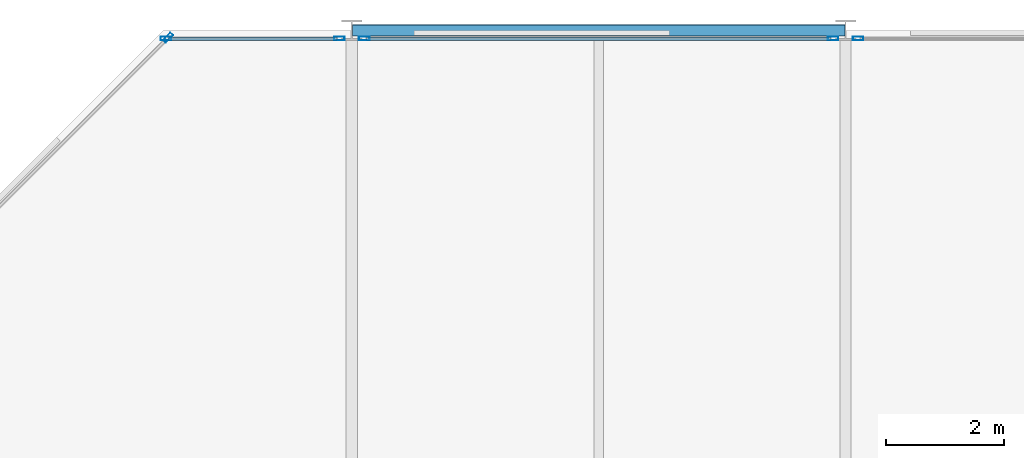
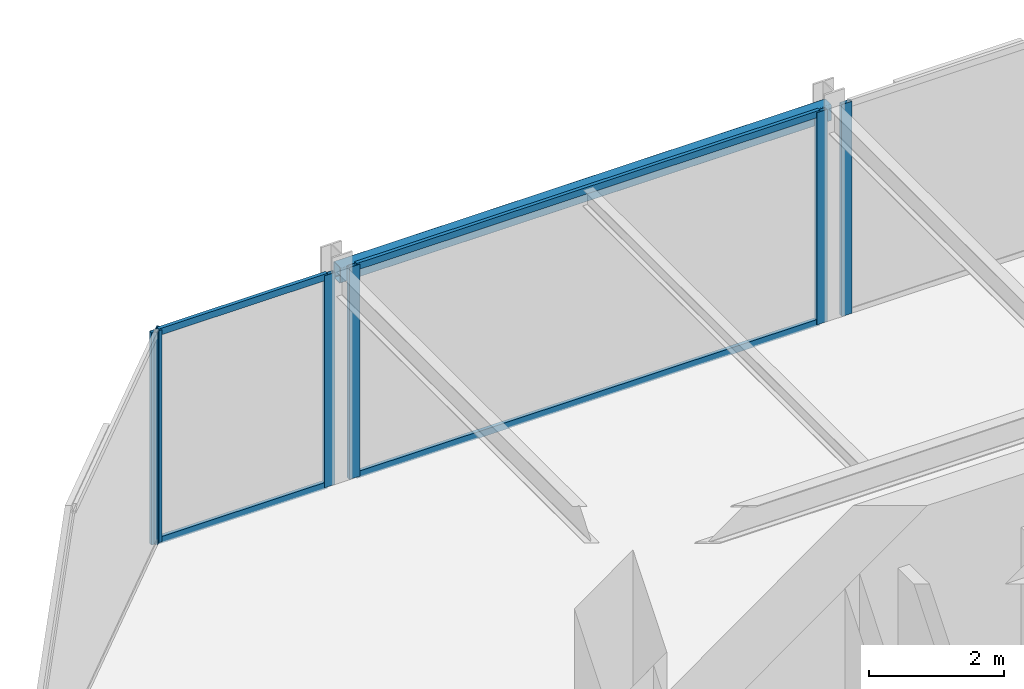
# One storey, part 20 of 29: 10 members, 1 beam, 4 elements without a shape of their own.
"""IFC4 building model written with IfcOpenShell, lengths in metres."""

from ifc_helpers import new_model, si_unit, direction, frame, origin, origin_2d, place, context, subcontext, project, spatial, hollow_rectangle, extrude, material, layer, layer_set, material_profile, profile_set, type_object, element, aggregate, save


model = new_model("IFC4")

# Units and contexts
model_context = context("Model", 3, precision=1e-05, world=origin(), true_north=direction((0.0, 1.0)))
body_context = subcontext(model_context, "Body", "Model", "MODEL_VIEW")
ifc_project = project(units=[si_unit("LENGTHUNIT", "METRE"), si_unit("AREAUNIT", "SQUARE_METRE"), si_unit("VOLUMEUNIT", "CUBIC_METRE"), si_unit("PLANEANGLEUNIT", "RADIAN"), si_unit("MASSUNIT", "GRAM", prefix="KILO")], contexts=[model_context])

# Site, building, storey
site_placement = place(None, origin())
site = spatial("IfcSite", under=ifc_project, at=site_placement, CompositionType="ELEMENT")
building_placement = place(site_placement, origin())
building = spatial("IfcBuilding", under=site, at=building_placement, Name="Nerrivon Quay Data Exchange", CompositionType="ELEMENT")
storey_placement = place(building_placement, frame((0.0, 0.0, 187.800048828125)))
storey = spatial("IfcBuildingStorey", under=building, at=storey_placement, Name="L44", CompositionType="ELEMENT", Elevation=187.800048828125)

# Beam
ifc_material_1 = material(Name="Steel Grade C350L0 (350 MPa)", Category="steel")
ifc_material_profile_1 = material_profile(ifc_material_1, hollow_rectangle(XDim=0.199951171875, YDim=0.300048828125, WallThickness=0.012451171875, InnerFilletRadius=0.018798828125, OuterFilletRadius=0.03125, at=origin_2d()), Name="300x200x12.5RHS")
ifc_profile_set_1 = profile_set([ifc_material_profile_1], Name="Steel Grade C350L0 (350 MPa)")
beam_type = type_object("IfcBeamType", Name="BM-SP3-300x200RHS", PredefinedType="SPANDREL", material=ifc_profile_set_1)
beam_placement = place(storey_placement, frame((8.409912109375, 50.39990234375, 3.675048828125), z_axis=(1.0, 0.0, 0.0), x_axis=(0.0, 1.0, 0.0)))
element("IfcBeam", 1, at=beam_placement, inside=storey, type_object=beam_type, Name="L44 EW Girder Y=50.4 (8.4..16.8)", PredefinedType="SPANDREL", context=body_context, shape_type="SweptSolid", body=[
    extrude(hollow_rectangle(XDim=0.199951171875, YDim=0.300048828125, WallThickness=0.012451171875, InnerFilletRadius=0.018798828125, OuterFilletRadius=0.03125, at=origin_2d()), origin(), (0.0, 0.0, 1.0), 8.380126953125),
])

# Curtain wall, member
ifc_material_2 = material(Name="Anodised aluminium 6063-T6", Category="aluminium")
ifc_layer = layer(ifc_material_2, 0.195068359375)
ifc_layer_set = layer_set([ifc_layer], Name="Anodised aluminium 6063-T6")
curtain_wall_type = type_object("IfcCurtainWallType", Name="CW-SYS-06", PredefinedType="NOTDEFINED", material=ifc_layer_set)
curtain_wall_1_placement = place(storey_placement, origin())
curtain_wall_1 = element("IfcCurtainWall", 2, at=curtain_wall_1_placement, inside=storey, type_object=curtain_wall_type, Name="L44 Unitised Curtain Wall 7", PredefinedType="NOTDEFINED")
ifc_material_profile_2 = material_profile(ifc_material_2, hollow_rectangle(XDim=0.06494140625, YDim=0.179931640625, WallThickness=0.00341796875, at=origin_2d()), Name="ALU-MULL-180x65")
ifc_profile_set_2 = profile_set([ifc_material_profile_2], Name="Anodised aluminium 6063-T6")
member_type_1 = type_object("IfcMemberType", Name="CWM-180x65", PredefinedType="MULLION", material=ifc_profile_set_2)
member_1_placement = place(storey_placement, frame((5.2724609375, 50.2744140625, 0.0), z_axis=(0.0, 0.0, 1.0), x_axis=(-0.707106781187, 0.707106781187, 0.0)))
member_1 = element("IfcMember", 3, at=member_1_placement, type_object=member_type_1, Name="CW06 mullion 2", PredefinedType="MULLION", context=body_context, shape_type="SweptSolid", body=[
    extrude(hollow_rectangle(XDim=0.06494140625, YDim=0.179931640625, WallThickness=0.00341796875, at=origin_2d()), origin(), (0.0, 0.0, 1.0), 3.824951171875),
])
aggregate(curtain_wall_1, [member_1])

# Curtain wall, members
curtain_wall_2_placement = place(storey_placement, origin())
curtain_wall_2 = element("IfcCurtainWall", 4, at=curtain_wall_2_placement, inside=storey, type_object=curtain_wall_type, Name="L44 Unitised Curtain Wall 8", PredefinedType="NOTDEFINED")
member_2_placement = place(storey_placement, frame((5.237548828125, 50.260009765625, 0.0), z_axis=(0.0, 0.0, 1.0), x_axis=(0.0, 1.0, 0.0)))
member_2 = element("IfcMember", 5, at=member_2_placement, type_object=member_type_1, Name="CW06 mullion 1", PredefinedType="MULLION", context=body_context, shape_type="SweptSolid", body=[
    extrude(hollow_rectangle(XDim=0.06494140625, YDim=0.179931640625, WallThickness=0.00341796875, at=origin_2d()), origin(), (0.0, 0.0, 1.0), 3.824951171875),
])
member_3_placement = place(storey_placement, frame((8.1875, 50.260009765625, 0.0), z_axis=(0.0, 0.0, 1.0), x_axis=(0.0, 1.0, 0.0)))
member_3 = element("IfcMember", 6, at=member_3_placement, type_object=member_type_1, Name="CW06 mullion 2", PredefinedType="MULLION", context=body_context, shape_type="SweptSolid", body=[
    extrude(hollow_rectangle(XDim=0.06494140625, YDim=0.179931640625, WallThickness=0.00341796875, at=origin_2d()), origin(), (0.0, 0.0, 1.0), 3.824951171875),
])

curtain_wall_3_placement = place(storey_placement, origin())
curtain_wall_3 = element("IfcCurtainWall", 7, at=curtain_wall_3_placement, inside=storey, type_object=curtain_wall_type, Name="L44 Unitised Curtain Wall 9", PredefinedType="NOTDEFINED")
member_4_placement = place(storey_placement, frame((8.612548828125, 50.260009765625, 0.0), z_axis=(0.0, 0.0, 1.0), x_axis=(0.0, 1.0, 0.0)))
member_4 = element("IfcMember", 8, at=member_4_placement, type_object=member_type_1, Name="CW06 mullion 1", PredefinedType="MULLION", context=body_context, shape_type="SweptSolid", body=[
    extrude(hollow_rectangle(XDim=0.06494140625, YDim=0.179931640625, WallThickness=0.00341796875, at=origin_2d()), origin(), (0.0, 0.0, 1.0), 3.824951171875),
])
member_5_placement = place(storey_placement, frame((16.58740234375, 50.260009765625, 0.0), z_axis=(0.0, 0.0, 1.0), x_axis=(0.0, 1.0, 0.0)))
member_5 = element("IfcMember", 9, at=member_5_placement, type_object=member_type_1, Name="CW06 mullion 2", PredefinedType="MULLION", context=body_context, shape_type="SweptSolid", body=[
    extrude(hollow_rectangle(XDim=0.06494140625, YDim=0.179931640625, WallThickness=0.00341796875, at=origin_2d()), origin(), (0.0, 0.0, 1.0), 3.824951171875),
])

# Curtain wall, member
curtain_wall_4_placement = place(storey_placement, origin())
curtain_wall_4 = element("IfcCurtainWall", 10, at=curtain_wall_4_placement, inside=storey, type_object=curtain_wall_type, Name="L44 Unitised Curtain Wall 10", PredefinedType="NOTDEFINED")
member_6_placement = place(storey_placement, frame((17.012451171875, 50.260009765625, 0.0), z_axis=(0.0, 0.0, 1.0), x_axis=(0.0, 1.0, 0.0)))
member_6 = element("IfcMember", 11, at=member_6_placement, type_object=member_type_1, Name="CW06 mullion 1", PredefinedType="MULLION", context=body_context, shape_type="SweptSolid", body=[
    extrude(hollow_rectangle(XDim=0.06494140625, YDim=0.179931640625, WallThickness=0.00341796875, at=origin_2d()), origin(), (0.0, 0.0, 1.0), 3.824951171875),
])
aggregate(curtain_wall_4, [member_6])

# Member
ifc_material_profile_3 = material_profile(ifc_material_2, hollow_rectangle(XDim=0.06005859375, YDim=0.1201171875, WallThickness=0.003173828125, at=origin_2d()), Name="ALU-TRAN-120x60")
ifc_profile_set_3 = profile_set([ifc_material_profile_3], Name="Anodised aluminium 6063-T6")
member_type_2 = type_object("IfcMemberType", Name="CWT-120x60", PredefinedType="USERDEFINED", material=ifc_profile_set_3)
member_7_placement = place(storey_placement, frame((5.27490234375, 50.260009765625, 0.032470703125), z_axis=(1.0, 0.0, 0.0), x_axis=(0.0, 1.0, 0.0)))
member_7 = element("IfcMember", 12, at=member_7_placement, type_object=member_type_2, Name="CW06 transom 1.1", ObjectType="TRANSOM", PredefinedType="USERDEFINED", context=body_context, shape_type="SweptSolid", body=[
    extrude(hollow_rectangle(XDim=0.06005859375, YDim=0.1201171875, WallThickness=0.003173828125, at=origin_2d()), origin(), (0.0, 0.0, 1.0), 2.875),
])

member_8_placement = place(storey_placement, frame((5.27490234375, 50.260009765625, 3.79248046875), z_axis=(1.0, 0.0, 0.0), x_axis=(0.0, 1.0, 0.0)))
member_8 = element("IfcMember", 13, at=member_8_placement, type_object=member_type_2, Name="CW06 transom 1.2", ObjectType="TRANSOM", PredefinedType="USERDEFINED", context=body_context, shape_type="SweptSolid", body=[
    extrude(hollow_rectangle(XDim=0.06005859375, YDim=0.1201171875, WallThickness=0.003173828125, at=origin_2d()), origin(), (0.0, 0.0, 1.0), 2.875),
])

aggregate(curtain_wall_2, [member_2, member_3, member_7, member_8])

member_9_placement = place(storey_placement, frame((8.64990234375, 50.260009765625, 0.032470703125), z_axis=(1.0, 0.0, 0.0), x_axis=(0.0, 1.0, 0.0)))
member_9 = element("IfcMember", 14, at=member_9_placement, type_object=member_type_2, Name="CW06 transom 1.1", ObjectType="TRANSOM", PredefinedType="USERDEFINED", context=body_context, shape_type="SweptSolid", body=[
    extrude(hollow_rectangle(XDim=0.06005859375, YDim=0.1201171875, WallThickness=0.003173828125, at=origin_2d()), origin(), (0.0, 0.0, 1.0), 7.900146484375),
])

member_10_placement = place(storey_placement, frame((8.64990234375, 50.260009765625, 3.79248046875), z_axis=(1.0, 0.0, 0.0), x_axis=(0.0, 1.0, 0.0)))
member_10 = element("IfcMember", 15, at=member_10_placement, type_object=member_type_2, Name="CW06 transom 1.2", ObjectType="TRANSOM", PredefinedType="USERDEFINED", context=body_context, shape_type="SweptSolid", body=[
    extrude(hollow_rectangle(XDim=0.06005859375, YDim=0.1201171875, WallThickness=0.003173828125, at=origin_2d()), origin(), (0.0, 0.0, 1.0), 7.900146484375),
])

aggregate(curtain_wall_3, [member_4, member_5, member_9, member_10])

save(model, "model.ifc")
